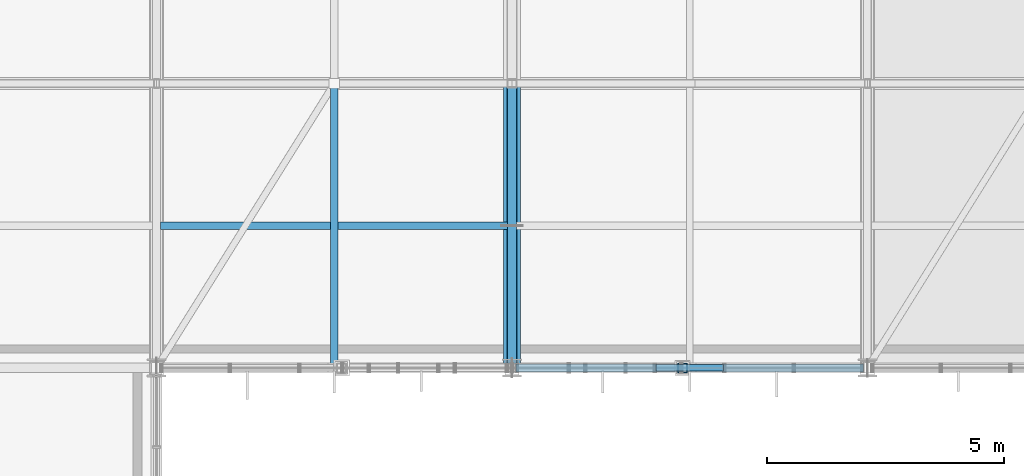
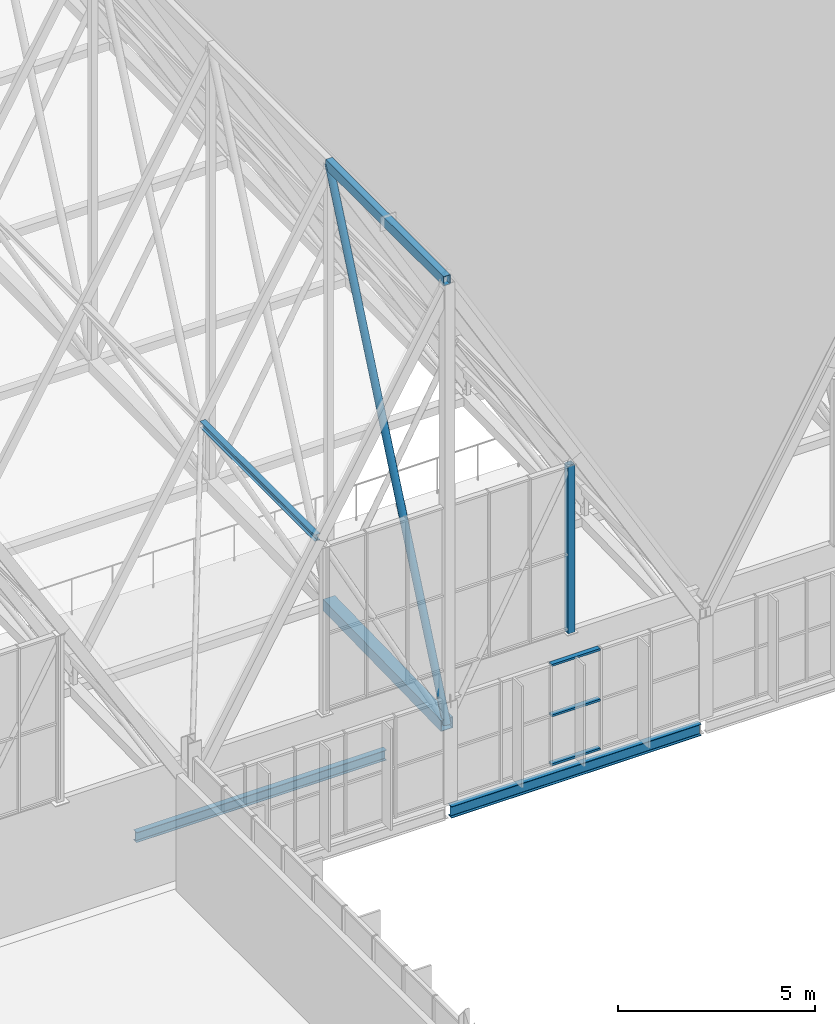
# One storey, part 100 of 324: 7 members, 3 beams, 1 element without a shape of its own.
"""IFC4 building model written with IfcOpenShell, lengths in metres."""

import ifcopenshell
import ifcopenshell.guid

model = None  # the IFC model being written
_history = None  # IfcOwnerHistory: only IFC2X3 demands one
_inside = {}  # id of a spatial element -> (the spatial element, [elements in it])
_under = {}  # id of a project, library or spatial element -> (it, [spatial elements below it])
_declared = {}  # id of a project -> (the project, [libraries it declares])
_typed = {}  # id of a type object -> (the type object, [elements of that type])
_made_of = {}  # id of a material, layer set ... -> (it, [elements and type objects made of it])


def new_model(schema):
    """Start an empty IFC model of exactly this schema.

    Asked for "IFC4X3", IfcOpenShell would pick the latest addendum, in which some entities
    have other attributes; the version numbers below select the first issue.
    IFC2X3 requires an IfcOwnerHistory on every rooted entity: one is made here for all.
    """
    global model, _history
    if schema == "IFC4X3":
        model = ifcopenshell.file(schema_version=(4, 3, 0, 0))
    else:
        model = ifcopenshell.file(schema=schema)
    _inside.clear()
    _under.clear()
    _declared.clear()
    _typed.clear()
    _made_of.clear()
    _history = None
    if model.schema == "IFC2X3":
        org = make("IfcOrganization", Name="unknown")
        user = make(
            "IfcPersonAndOrganization",
            ThePerson=make("IfcPerson", FamilyName="unknown"),
            TheOrganization=org,
        )
        app = make(
            "IfcApplication",
            ApplicationDeveloper=org,
            Version="unknown",
            ApplicationFullName="unknown",
            ApplicationIdentifier="unknown",
        )
        _history = make(
            "IfcOwnerHistory",
            OwningUser=user,
            OwningApplication=app,
            ChangeAction="ADDED",
            CreationDate=0,
        )
    return model


def make(cls, **values):
    """One entity of the class cls with the attributes given. An attribute that is None is left unset."""
    return model.create_entity(
        cls, **{name: value for name, value in values.items() if value is not None}
    )


def rooted(cls, **values):
    """An entity with a GlobalId (a new one), such as an element, a storey or a relation."""
    return make(cls, GlobalId=ifcopenshell.guid.new(), OwnerHistory=_history, **values)


def si_unit(unit_type, name, prefix=None):
    """IfcSIUnit, for example si_unit("LENGTHUNIT", "METRE", prefix="MILLI")."""
    return make("IfcSIUnit", UnitType=unit_type, Prefix=prefix, Name=name)


def assignment(units):
    """IfcUnitAssignment: the units of a project."""
    return None if units is None else make("IfcUnitAssignment", Units=units)


def point(xyz):
    """IfcCartesianPoint."""
    return None if xyz is None else make("IfcCartesianPoint", Coordinates=xyz)


def direction(xyz):
    """IfcDirection."""
    return None if xyz is None else make("IfcDirection", DirectionRatios=xyz)


def frame(location, z_axis=None, x_axis=None):
    """IfcAxis2Placement3D, a coordinate frame: its origin and axes. An axis left out is left unset."""
    return make(
        "IfcAxis2Placement3D",
        Location=point(location),
        Axis=direction(z_axis),
        RefDirection=direction(x_axis),
    )


def frame_2d(location, x_axis=None):
    """IfcAxis2Placement2D, a coordinate frame in the plane: its origin and x axis."""
    return make(
        "IfcAxis2Placement2D", Location=point(location), RefDirection=direction(x_axis)
    )


def origin():
    """The frame at (0, 0, 0) with its axes left unset."""
    return frame((0.0, 0.0, 0.0))


def origin_2d():
    """The frame at (0, 0) in the plane with its x axis left unset."""
    return frame_2d((0.0, 0.0))


def place(relative_to, where):
    """IfcLocalPlacement: puts the frame where relative to a parent placement (None: the world)."""
    return make(
        "IfcLocalPlacement", PlacementRelTo=relative_to, RelativePlacement=where
    )


def context(
    kind, dimensions, precision=None, world=None, true_north=None, identifier=None
):
    """IfcGeometricRepresentationContext, for example the 3D "Model" context."""
    return make(
        "IfcGeometricRepresentationContext",
        ContextIdentifier=identifier,
        ContextType=kind,
        CoordinateSpaceDimension=dimensions,
        Precision=precision,
        WorldCoordinateSystem=world,
        TrueNorth=true_north,
    )


def subcontext(parent, identifier, kind, view, scale=None):
    """IfcGeometricRepresentationSubContext, for example "Body" below "Model"."""
    return make(
        "IfcGeometricRepresentationSubContext",
        ContextIdentifier=identifier,
        ContextType=kind,
        ParentContext=parent,
        TargetScale=scale,
        TargetView=view,
    )


def project(units=None, contexts=None):
    """IfcProject with its units and contexts."""
    return rooted(
        "IfcProject",
        Name="project",
        RepresentationContexts=contexts,
        UnitsInContext=assignment(units),
    )


def spatial(cls, under=None, at=None, **own):
    """A site, building, storey or space (cls), placed at a placement, below another one or the project."""
    s = rooted(cls, ObjectPlacement=at, **own)
    if under is not None:
        _under.setdefault(under.id(), (under, []))[1].append(s)
    return s


def profile(cls, at=None, kind="AREA", **sizes):
    """A parametric profile (cls). Its sizes go by their IFC names, for example OverallWidth=200.0."""
    return make(cls, ProfileType=kind, Position=at, **sizes)


def hollow_rectangle(**sizes):
    """IfcRectangleHollowProfileDef."""
    return profile("IfcRectangleHollowProfileDef", **sizes)


def hollow_circle(**sizes):
    """IfcCircleHollowProfileDef."""
    return profile("IfcCircleHollowProfileDef", **sizes)


def i_section(**sizes):
    """IfcIShapeProfileDef."""
    return profile("IfcIShapeProfileDef", **sizes)


def extrude(swept, where, along, depth):
    """IfcExtrudedAreaSolid: the profile swept, set in the frame where, extruded along a direction by depth."""
    return make(
        "IfcExtrudedAreaSolid",
        SweptArea=swept,
        Position=where,
        ExtrudedDirection=direction(along),
        Depth=depth,
    )


def shape(context_of_items, identifier, shape_type, items):
    """IfcShapeRepresentation: the items that make up one representation, for example the "Body"."""
    return make(
        "IfcShapeRepresentation",
        ContextOfItems=context_of_items,
        RepresentationIdentifier=identifier,
        RepresentationType=shape_type,
        Items=items,
    )


def material(Name=None, Category=None):
    """IfcMaterial."""
    return make("IfcMaterial", Name=Name, Category=Category)


def layer(
    of_material, thickness, ventilated=None, Name=None, Category=None, Priority=None
):
    """IfcMaterialLayer: one layer of a wall or slab, of a material (None: an air gap)."""
    return make(
        "IfcMaterialLayer",
        Material=of_material,
        LayerThickness=thickness,
        IsVentilated=ventilated,
        Name=Name,
        Category=Category,
        Priority=Priority,
    )


def layer_set(layers, Name=None):
    """IfcMaterialLayerSet."""
    return make("IfcMaterialLayerSet", MaterialLayers=layers, LayerSetName=Name)


def material_profile(
    of_material, cross_section, Name=None, Category=None, Priority=None
):
    """IfcMaterialProfile: a cross section and its material."""
    return make(
        "IfcMaterialProfile",
        Name=Name,
        Material=of_material,
        Profile=cross_section,
        Priority=Priority,
        Category=Category,
    )


def profile_set(profiles, Name=None, composite=None):
    """IfcMaterialProfileSet."""
    return make(
        "IfcMaterialProfileSet",
        Name=Name,
        MaterialProfiles=profiles,
        CompositeProfile=composite,
    )


def made_of(thing, what):
    """Note that an element or type object is made of a material, layer set ...; save() writes the relation."""
    if what is not None:
        _made_of.setdefault(what.id(), (what, []))[1].append(thing)
    return thing


def type_object(cls, material=None, **own):
    """A type object (cls), such as IfcWallType, which elements share."""
    return made_of(rooted(cls, **own), material)


def element(
    cls,
    number,
    at=None,
    inside=None,
    cuts=None,
    type_object=None,
    material=None,
    context=None,
    identifier="Body",
    shape_type=None,
    held_by="IfcProductDefinitionShape",
    body=None,
    shapes=None,
    **own,
):
    """One element of the class cls, such as IfcWall. Its Tag is "e" and its number.

    at: its placement. inside: the storey or other place that contains it. cuts: it is an
    opening in that element (IfcRelVoidsElement). A single representation is given by context,
    identifier, shape_type and body (its items); several are given by shapes. held_by: the class
    of the entity that holds the representations. save() writes the other relations.
    """
    e = rooted(cls, Tag="e%d" % number, ObjectPlacement=at, **own)
    if body is not None:
        shapes = [shape(context, identifier, shape_type, body)]
    if shapes is not None:
        e.Representation = make(held_by, Representations=shapes)
    if inside is not None:
        _inside.setdefault(inside.id(), (inside, []))[1].append(e)
    if cuts is not None:
        rooted(
            "IfcRelVoidsElement", RelatingBuildingElement=cuts, RelatedOpeningElement=e
        )
    if type_object is not None:
        _typed.setdefault(type_object.id(), (type_object, []))[1].append(e)
    return made_of(e, material)


def aggregate(whole, parts):
    """IfcRelAggregates: a whole, such as a stair, and the parts it consists of."""
    return rooted("IfcRelAggregates", RelatingObject=whole, RelatedObjects=parts)


def save(model, path):
    """Write the relations noted so far, then the file.

    IfcRelAggregates (storeys below a building ...), IfcRelContainedInSpatialStructure (elements
    in a storey), IfcRelDefinesByType, IfcRelAssociatesMaterial and IfcRelDeclares: one each for
    every whole, place, type object, material and project.
    """
    for whole, parts in _under.values():
        aggregate(whole, parts)
    for where, things in _inside.values():
        rooted(
            "IfcRelContainedInSpatialStructure",
            RelatedElements=things,
            RelatingStructure=where,
        )
    for kind, things in _typed.values():
        rooted("IfcRelDefinesByType", RelatedObjects=things, RelatingType=kind)
    for what, things in _made_of.values():
        rooted("IfcRelAssociatesMaterial", RelatedObjects=things, RelatingMaterial=what)
    for by, libraries in _declared.values():
        rooted("IfcRelDeclares", RelatingContext=by, RelatedDefinitions=libraries)
    model.write(path)


model = new_model("IFC4")

# Units and contexts
model_context = context("Model", 3, precision=1e-05, world=origin(), true_north=direction((0.0, 1.0)))
body_context = subcontext(model_context, "Body", "Model", "MODEL_VIEW")
ifc_project = project(units=[si_unit("LENGTHUNIT", "METRE"), si_unit("AREAUNIT", "SQUARE_METRE"), si_unit("VOLUMEUNIT", "CUBIC_METRE"), si_unit("PLANEANGLEUNIT", "RADIAN"), si_unit("MASSUNIT", "GRAM", prefix="KILO")], contexts=[model_context])

# Site, building, storey
site_placement = place(None, origin())
site = spatial("IfcSite", under=ifc_project, at=site_placement, CompositionType="ELEMENT")
building_placement = place(site_placement, origin())
building = spatial("IfcBuilding", under=site, at=building_placement, Name="Solvenia Promenade Tram Depot", CompositionType="ELEMENT")
storey_placement = place(building_placement, frame((0.0, 0.0, 4.5)))
storey = spatial("IfcBuildingStorey", under=building, at=storey_placement, Name="L01", CompositionType="ELEMENT", Elevation=4.5)

# Member
ifc_material_1 = material(Name="Structural steel ASTM A500 Gr. C", Category="steel")
ifc_material_profile_1 = material_profile(ifc_material_1, hollow_circle(Radius=0.109619140625, WallThickness=0.008056640625, at=origin_2d()), Name="CHS219.1x8", Category="steel")
ifc_profile_set_1 = profile_set([ifc_material_profile_1], Name="Structural steel ASTM A500 Gr. C")
member_type_1 = type_object("IfcMemberType", Name="Brace-CHS219x8", PredefinedType="BRACE", material=ifc_profile_set_1)
member_1_placement = place(storey_placement, frame((52.5, 66.0, 2.320068359375), z_axis=(0.0, 0.399509410742, 0.916729093423), x_axis=(-1.0, 0.0, 0.0)))
element("IfcMember", 1, at=member_1_placement, inside=storey, type_object=member_type_1, Name="Arched Truss T08 Web Diagonal S01", PredefinedType="BRACE", context=body_context, shape_type="SweptSolid", body=[
    extrude(hollow_circle(Radius=0.109619140625, WallThickness=0.008056640625, at=origin_2d()), origin(), (0.0, 0.0, 1.0), 15.018310546875),
])

# Curtain wall, members
ifc_material_2 = material(Name="Anodized aluminium AW-6063 T6", Category="aluminium")
ifc_layer = layer(ifc_material_2, 0.159912109375, Name="Anodized aluminium AW-6063 T6", Category="aluminium")
ifc_layer_set = layer_set([ifc_layer], Name="Anodized aluminium AW-6063 T6")
curtain_wall_type = type_object("IfcCurtainWallType", Name="CW-Channel-1500", PredefinedType="NOTDEFINED", material=ifc_layer_set)
curtain_wall_placement = place(storey_placement, origin())
curtain_wall = element("IfcCurtainWall", 2, at=curtain_wall_placement, inside=storey, type_object=curtain_wall_type, Name="Curtain Wall CW-V1S1-02", PredefinedType="NOTDEFINED")
ifc_material_profile_2 = material_profile(ifc_material_2, hollow_rectangle(XDim=0.139892578125, YDim=0.06494140625, WallThickness=0.00390625, at=origin_2d()), Name="ALU-T2", Category="aluminium")
ifc_profile_set_2 = profile_set([ifc_material_profile_2], Name="Anodized aluminium AW-6063 T6")
member_type_2 = type_object("IfcMemberType", Name="CWT-Transom-2", PredefinedType="USERDEFINED", material=ifc_profile_set_2)
member_2_placement = place(storey_placement, frame((55.541015625, 66.0, 0.032470703125), z_axis=(1.0, 0.0, 0.0), x_axis=(0.0, 1.0, 0.0)))
member_2 = element("IfcMember", 3, at=member_2_placement, type_object=member_type_2, Name="CW-2 transom 3.1", ObjectType="TRANSOM", PredefinedType="USERDEFINED", context=body_context, shape_type="SweptSolid", body=[
    extrude(hollow_rectangle(XDim=0.139892578125, YDim=0.06494140625, WallThickness=0.00390625, at=origin_2d()), origin(), (0.0, 0.0, 1.0), 1.41796875),
])
member_3_placement = place(storey_placement, frame((55.541015625, 66.0, 1.550048828125), z_axis=(1.0, 0.0, 0.0), x_axis=(0.0, 1.0, 0.0)))
member_3 = element("IfcMember", 4, at=member_3_placement, type_object=member_type_2, Name="CW-2 transom 3.2", ObjectType="TRANSOM", PredefinedType="USERDEFINED", context=body_context, shape_type="SweptSolid", body=[
    extrude(hollow_rectangle(XDim=0.139892578125, YDim=0.06494140625, WallThickness=0.00390625, at=origin_2d()), origin(), (0.0, 0.0, 1.0), 1.41796875),
])
member_4_placement = place(storey_placement, frame((55.541015625, 66.0, 3.117431640625), z_axis=(1.0, 0.0, 0.0), x_axis=(0.0, 1.0, 0.0)))
member_4 = element("IfcMember", 5, at=member_4_placement, type_object=member_type_2, Name="CW-2 transom 3.3", ObjectType="TRANSOM", PredefinedType="USERDEFINED", context=body_context, shape_type="SweptSolid", body=[
    extrude(hollow_rectangle(XDim=0.139892578125, YDim=0.06494140625, WallThickness=0.00390625, at=origin_2d()), origin(), (0.0, 0.0, 1.0), 1.41796875),
])
aggregate(curtain_wall, [member_2, member_3, member_4])

# Members
ifc_material_profile_3 = material_profile(ifc_material_1, hollow_rectangle(XDim=0.199951171875, YDim=0.300048828125, WallThickness=0.012451171875, at=origin_2d()), Name="HSS300x200x12.5", Category="steel")
ifc_profile_set_3 = profile_set([ifc_material_profile_3], Name="Structural steel ASTM A500 Gr. C")
member_type_3 = type_object("IfcMemberType", Name="Chord-HSS300x200x12", PredefinedType="CHORD", material=ifc_profile_set_3)
member_5_placement = place(storey_placement, frame((52.5, 66.0, 16.087890625), z_axis=(0.0, 1.0, 0.0), x_axis=(-1.0, 0.0, 0.0)))
element("IfcMember", 6, at=member_5_placement, inside=storey, type_object=member_type_3, Name="Arched Truss T08 Upper Chord S01", PredefinedType="CHORD", context=body_context, shape_type="SweptSolid", body=[
    extrude(hollow_rectangle(XDim=0.199951171875, YDim=0.300048828125, WallThickness=0.012451171875, at=origin_2d()), origin(), (0.0, 0.0, 1.0), 6.0),
])
ifc_material_profile_4 = material_profile(ifc_material_1, hollow_rectangle(XDim=0.35009765625, YDim=0.35009765625, WallThickness=0.01611328125, at=origin_2d()), Name="HSS350x350x16", Category="steel")
ifc_profile_set_4 = profile_set([ifc_material_profile_4], Name="Structural steel ASTM A500 Gr. C")
member_type_4 = type_object("IfcMemberType", Name="Chord-HSS350x350x16", PredefinedType="CHORD", material=ifc_profile_set_4)
member_6_placement = place(storey_placement, frame((52.5, 66.0, 2.320068359375), z_axis=(0.0, 0.999779654873, 0.020991467363), x_axis=(-1.0, 0.0, 0.0)))
element("IfcMember", 7, at=member_6_placement, inside=storey, type_object=member_type_4, Name="Arched Truss T08 Bottom Chord S01", PredefinedType="CHORD", context=body_context, shape_type="SweptSolid", body=[
    extrude(hollow_rectangle(XDim=0.35009765625, YDim=0.35009765625, WallThickness=0.01611328125, at=origin_2d()), origin(), (0.0, 0.0, 1.0), 6.001220703125),
])

# Beam
ifc_material_3 = material(Name="Structural steel ASTM A992 Gr. 50", Category="steel")
ifc_material_profile_5 = material_profile(ifc_material_3, i_section(OverallWidth=0.166015625, OverallDepth=0.31298828125, WebThickness=0.006591796875, FlangeThickness=0.01123046875, FilletRadius=0.010009765625, at=origin_2d()), Name="W310x45", Category="steel")
ifc_profile_set_5 = profile_set([ifc_material_profile_5], Name="Structural steel ASTM A992 Gr. 50")
beam_type_1 = type_object("IfcBeamType", Name="Joist-W310x45", PredefinedType="JOIST", material=ifc_profile_set_5)
beam_1_placement = place(storey_placement, frame((45.0849609375, 69.0, -0.37646484375), z_axis=(1.0, 0.0, 0.0), x_axis=(0.0, 1.0, 0.0)))
element("IfcBeam", 8, at=beam_1_placement, inside=storey, type_object=beam_type_1, Name="Secondary Floor Joist BM-L01-0079", PredefinedType="JOIST", context=body_context, shape_type="SweptSolid", body=[
    extrude(i_section(OverallWidth=0.166015625, OverallDepth=0.31298828125, WebThickness=0.006591796875, FlangeThickness=0.01123046875, FilletRadius=0.010009765625, at=origin_2d()), origin(), (0.0, 0.0, 1.0), 7.330078125),
])

# Member
ifc_material_profile_6 = material_profile(ifc_material_1, hollow_rectangle(XDim=0.199951171875, YDim=0.199951171875, WallThickness=0.010009765625, at=origin_2d()), Name="HSS200x200x10", Category="steel")
ifc_profile_set_6 = profile_set([ifc_material_profile_6], Name="Structural steel ASTM A500 Gr. C")
member_type_5 = type_object("IfcMemberType", Name="Post-HSS200x200x10", PredefinedType="POST", material=ifc_profile_set_6)
member_7_placement = place(storey_placement, frame((56.10009765625, 66.0, 3.949951171875), z_axis=(0.0, 0.0, 1.0), x_axis=(1.0, 0.0, 0.0)))
element("IfcMember", 9, at=member_7_placement, inside=storey, type_object=member_type_5, Name="Gable Curtain-Wall Steel Jamb Post 016", PredefinedType="POST", context=body_context, shape_type="SweptSolid", body=[
    extrude(hollow_rectangle(XDim=0.199951171875, YDim=0.199951171875, WallThickness=0.010009765625, at=origin_2d()), origin(), (0.0, 0.0, 1.0), 5.199951171875),
])

# Beams
ifc_material_profile_7 = material_profile(ifc_material_3, i_section(OverallWidth=0.1650390625, OverallDepth=0.200927734375, WebThickness=0.006103515625, FlangeThickness=0.01025390625, FilletRadius=0.010009765625, at=origin_2d()), Name="W200x36", Category="steel")
ifc_profile_set_7 = profile_set([ifc_material_profile_7], Name="Structural steel ASTM A992 Gr. 50")
beam_type_2 = type_object("IfcBeamType", Name="Purlin-W200x36", PredefinedType="USERDEFINED", material=ifc_profile_set_7)
beam_2_placement = place(storey_placement, frame((48.75, 66.0849609375, 9.375732421875), z_axis=(0.0, 1.0, 0.0), x_axis=(-1.0, 0.0, 0.0)))
element("IfcBeam", 10, at=beam_2_placement, inside=storey, type_object=beam_type_2, Name="Gable Roof Purlin W-0061", ObjectType="PURLIN", PredefinedType="USERDEFINED", context=body_context, shape_type="SweptSolid", body=[
    extrude(i_section(OverallWidth=0.1650390625, OverallDepth=0.200927734375, WebThickness=0.006103515625, FlangeThickness=0.01025390625, FilletRadius=0.010009765625, at=origin_2d()), origin(), (0.0, 0.0, 1.0), 5.830078125),
])
ifc_material_profile_8 = material_profile(ifc_material_3, i_section(OverallWidth=0.172119140625, OverallDepth=0.35791015625, WebThickness=0.0078125, FlangeThickness=0.01318359375, FilletRadius=0.010986328125, at=origin_2d()), Name="W360x57", Category="steel")
ifc_profile_set_8 = profile_set([ifc_material_profile_8], Name="Structural steel ASTM A992 Gr. 50")
beam_type_3 = type_object("IfcBeamType", Name="Spandrel-W360x57", PredefinedType="SPANDREL", material=ifc_profile_set_8)
beam_3_placement = place(storey_placement, frame((52.5849609375, 66.0, -0.39892578125), z_axis=(1.0, 0.0, 0.0), x_axis=(0.0, 1.0, 0.0)))
element("IfcBeam", 11, at=beam_3_placement, inside=storey, type_object=beam_type_3, Name="Perimeter Spandrel BM-L01-0008", PredefinedType="SPANDREL", context=body_context, shape_type="SweptSolid", body=[
    extrude(i_section(OverallWidth=0.172119140625, OverallDepth=0.35791015625, WebThickness=0.0078125, FlangeThickness=0.01318359375, FilletRadius=0.010986328125, at=origin_2d()), origin(), (0.0, 0.0, 1.0), 7.330078125),
])

save(model, "model.ifc")
